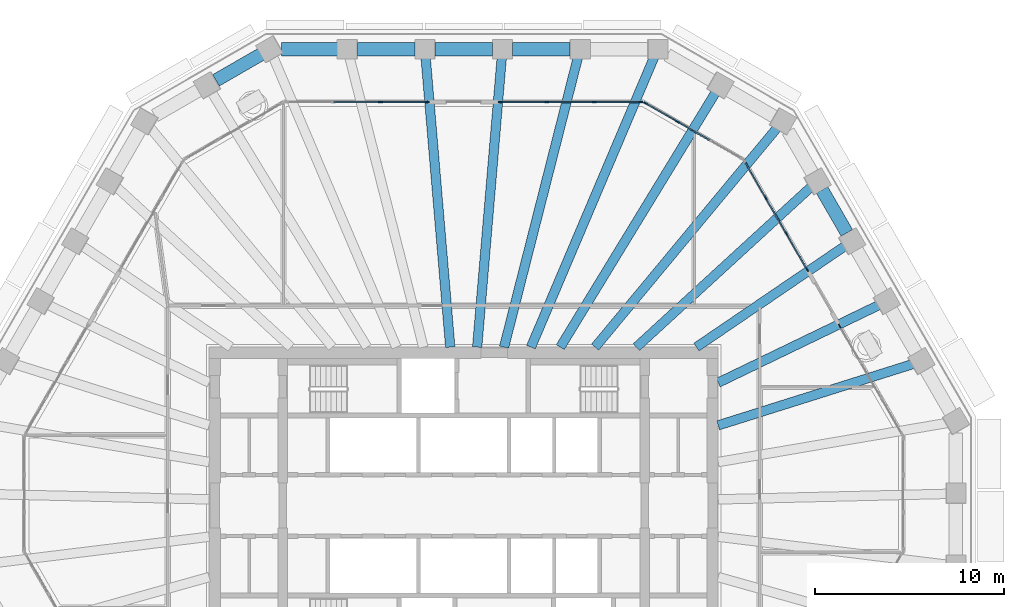
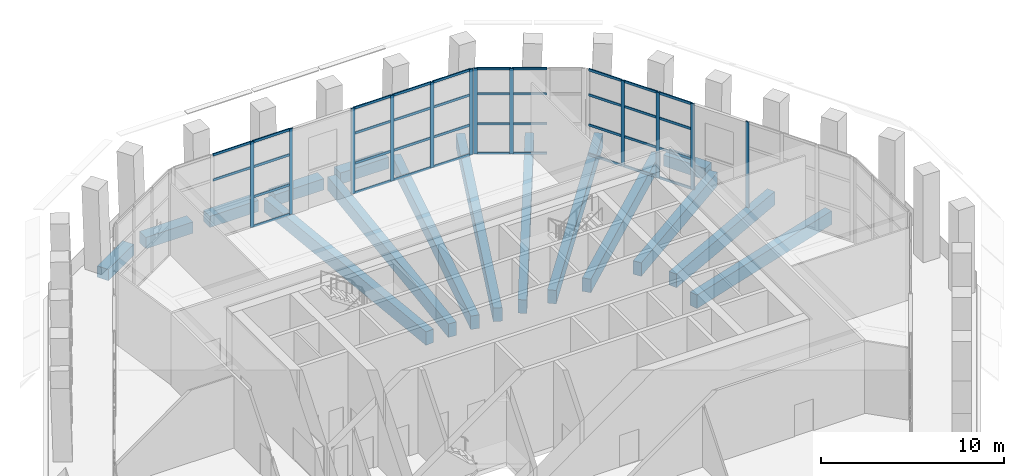
# One storey, part 7 of 19: 50 members, 16 beams, 5 elements without a shape of their own.
"""IFC4 building model written with IfcOpenShell, lengths in metres."""

import ifcopenshell
import ifcopenshell.guid

model = None  # the IFC model being written
_history = None  # IfcOwnerHistory: only IFC2X3 demands one
_inside = {}  # id of a spatial element -> (the spatial element, [elements in it])
_under = {}  # id of a project, library or spatial element -> (it, [spatial elements below it])
_declared = {}  # id of a project -> (the project, [libraries it declares])
_typed = {}  # id of a type object -> (the type object, [elements of that type])
_made_of = {}  # id of a material, layer set ... -> (it, [elements and type objects made of it])


def new_model(schema):
    """Start an empty IFC model of exactly this schema.

    Asked for "IFC4X3", IfcOpenShell would pick the latest addendum, in which some entities
    have other attributes; the version numbers below select the first issue.
    IFC2X3 requires an IfcOwnerHistory on every rooted entity: one is made here for all.
    """
    global model, _history
    if schema == "IFC4X3":
        model = ifcopenshell.file(schema_version=(4, 3, 0, 0))
    else:
        model = ifcopenshell.file(schema=schema)
    _inside.clear()
    _under.clear()
    _declared.clear()
    _typed.clear()
    _made_of.clear()
    _history = None
    if model.schema == "IFC2X3":
        org = make("IfcOrganization", Name="unknown")
        user = make(
            "IfcPersonAndOrganization",
            ThePerson=make("IfcPerson", FamilyName="unknown"),
            TheOrganization=org,
        )
        app = make(
            "IfcApplication",
            ApplicationDeveloper=org,
            Version="unknown",
            ApplicationFullName="unknown",
            ApplicationIdentifier="unknown",
        )
        _history = make(
            "IfcOwnerHistory",
            OwningUser=user,
            OwningApplication=app,
            ChangeAction="ADDED",
            CreationDate=0,
        )
    return model


def make(cls, **values):
    """One entity of the class cls with the attributes given. An attribute that is None is left unset."""
    return model.create_entity(
        cls, **{name: value for name, value in values.items() if value is not None}
    )


def rooted(cls, **values):
    """An entity with a GlobalId (a new one), such as an element, a storey or a relation."""
    return make(cls, GlobalId=ifcopenshell.guid.new(), OwnerHistory=_history, **values)


def si_unit(unit_type, name, prefix=None):
    """IfcSIUnit, for example si_unit("LENGTHUNIT", "METRE", prefix="MILLI")."""
    return make("IfcSIUnit", UnitType=unit_type, Prefix=prefix, Name=name)


def assignment(units):
    """IfcUnitAssignment: the units of a project."""
    return None if units is None else make("IfcUnitAssignment", Units=units)


def point(xyz):
    """IfcCartesianPoint."""
    return None if xyz is None else make("IfcCartesianPoint", Coordinates=xyz)


def direction(xyz):
    """IfcDirection."""
    return None if xyz is None else make("IfcDirection", DirectionRatios=xyz)


def frame(location, z_axis=None, x_axis=None):
    """IfcAxis2Placement3D, a coordinate frame: its origin and axes. An axis left out is left unset."""
    return make(
        "IfcAxis2Placement3D",
        Location=point(location),
        Axis=direction(z_axis),
        RefDirection=direction(x_axis),
    )


def frame_2d(location, x_axis=None):
    """IfcAxis2Placement2D, a coordinate frame in the plane: its origin and x axis."""
    return make(
        "IfcAxis2Placement2D", Location=point(location), RefDirection=direction(x_axis)
    )


def origin():
    """The frame at (0, 0, 0) with its axes left unset."""
    return frame((0.0, 0.0, 0.0))


def origin_2d():
    """The frame at (0, 0) in the plane with its x axis left unset."""
    return frame_2d((0.0, 0.0))


def place(relative_to, where):
    """IfcLocalPlacement: puts the frame where relative to a parent placement (None: the world)."""
    return make(
        "IfcLocalPlacement", PlacementRelTo=relative_to, RelativePlacement=where
    )


def context(
    kind, dimensions, precision=None, world=None, true_north=None, identifier=None
):
    """IfcGeometricRepresentationContext, for example the 3D "Model" context."""
    return make(
        "IfcGeometricRepresentationContext",
        ContextIdentifier=identifier,
        ContextType=kind,
        CoordinateSpaceDimension=dimensions,
        Precision=precision,
        WorldCoordinateSystem=world,
        TrueNorth=true_north,
    )


def subcontext(parent, identifier, kind, view, scale=None):
    """IfcGeometricRepresentationSubContext, for example "Body" below "Model"."""
    return make(
        "IfcGeometricRepresentationSubContext",
        ContextIdentifier=identifier,
        ContextType=kind,
        ParentContext=parent,
        TargetScale=scale,
        TargetView=view,
    )


def project(units=None, contexts=None):
    """IfcProject with its units and contexts."""
    return rooted(
        "IfcProject",
        Name="project",
        RepresentationContexts=contexts,
        UnitsInContext=assignment(units),
    )


def spatial(cls, under=None, at=None, **own):
    """A site, building, storey or space (cls), placed at a placement, below another one or the project."""
    s = rooted(cls, ObjectPlacement=at, **own)
    if under is not None:
        _under.setdefault(under.id(), (under, []))[1].append(s)
    return s


def profile(cls, at=None, kind="AREA", **sizes):
    """A parametric profile (cls). Its sizes go by their IFC names, for example OverallWidth=200.0."""
    return make(cls, ProfileType=kind, Position=at, **sizes)


def rectangle(**sizes):
    """IfcRectangleProfileDef."""
    return profile("IfcRectangleProfileDef", **sizes)


def extrude(swept, where, along, depth):
    """IfcExtrudedAreaSolid: the profile swept, set in the frame where, extruded along a direction by depth."""
    return make(
        "IfcExtrudedAreaSolid",
        SweptArea=swept,
        Position=where,
        ExtrudedDirection=direction(along),
        Depth=depth,
    )


def shape(context_of_items, identifier, shape_type, items):
    """IfcShapeRepresentation: the items that make up one representation, for example the "Body"."""
    return make(
        "IfcShapeRepresentation",
        ContextOfItems=context_of_items,
        RepresentationIdentifier=identifier,
        RepresentationType=shape_type,
        Items=items,
    )


def material(Name=None, Category=None):
    """IfcMaterial."""
    return make("IfcMaterial", Name=Name, Category=Category)


def material_profile(
    of_material, cross_section, Name=None, Category=None, Priority=None
):
    """IfcMaterialProfile: a cross section and its material."""
    return make(
        "IfcMaterialProfile",
        Name=Name,
        Material=of_material,
        Profile=cross_section,
        Priority=Priority,
        Category=Category,
    )


def profile_set(profiles, Name=None, composite=None):
    """IfcMaterialProfileSet."""
    return make(
        "IfcMaterialProfileSet",
        Name=Name,
        MaterialProfiles=profiles,
        CompositeProfile=composite,
    )


def made_of(thing, what):
    """Note that an element or type object is made of a material, layer set ...; save() writes the relation."""
    if what is not None:
        _made_of.setdefault(what.id(), (what, []))[1].append(thing)
    return thing


def type_object(cls, material=None, **own):
    """A type object (cls), such as IfcWallType, which elements share."""
    return made_of(rooted(cls, **own), material)


def element(
    cls,
    number,
    at=None,
    inside=None,
    cuts=None,
    type_object=None,
    material=None,
    context=None,
    identifier="Body",
    shape_type=None,
    held_by="IfcProductDefinitionShape",
    body=None,
    shapes=None,
    **own,
):
    """One element of the class cls, such as IfcWall. Its Tag is "e" and its number.

    at: its placement. inside: the storey or other place that contains it. cuts: it is an
    opening in that element (IfcRelVoidsElement). A single representation is given by context,
    identifier, shape_type and body (its items); several are given by shapes. held_by: the class
    of the entity that holds the representations. save() writes the other relations.
    """
    e = rooted(cls, Tag="e%d" % number, ObjectPlacement=at, **own)
    if body is not None:
        shapes = [shape(context, identifier, shape_type, body)]
    if shapes is not None:
        e.Representation = make(held_by, Representations=shapes)
    if inside is not None:
        _inside.setdefault(inside.id(), (inside, []))[1].append(e)
    if cuts is not None:
        rooted(
            "IfcRelVoidsElement", RelatingBuildingElement=cuts, RelatedOpeningElement=e
        )
    if type_object is not None:
        _typed.setdefault(type_object.id(), (type_object, []))[1].append(e)
    return made_of(e, material)


def aggregate(whole, parts):
    """IfcRelAggregates: a whole, such as a stair, and the parts it consists of."""
    return rooted("IfcRelAggregates", RelatingObject=whole, RelatedObjects=parts)


def save(model, path):
    """Write the relations noted so far, then the file.

    IfcRelAggregates (storeys below a building ...), IfcRelContainedInSpatialStructure (elements
    in a storey), IfcRelDefinesByType, IfcRelAssociatesMaterial and IfcRelDeclares: one each for
    every whole, place, type object, material and project.
    """
    for whole, parts in _under.values():
        aggregate(whole, parts)
    for where, things in _inside.values():
        rooted(
            "IfcRelContainedInSpatialStructure",
            RelatedElements=things,
            RelatingStructure=where,
        )
    for kind, things in _typed.values():
        rooted("IfcRelDefinesByType", RelatedObjects=things, RelatingType=kind)
    for what, things in _made_of.values():
        rooted("IfcRelAssociatesMaterial", RelatedObjects=things, RelatingMaterial=what)
    for by, libraries in _declared.values():
        rooted("IfcRelDeclares", RelatingContext=by, RelatedDefinitions=libraries)
    model.write(path)


model = new_model("IFC4")

# Units and contexts
model_context = context("Model", 3, precision=1e-05, world=origin(), true_north=direction((0.0, 1.0)))
body_context = subcontext(model_context, "Body", "Model", "MODEL_VIEW")
ifc_project = project(units=[si_unit("LENGTHUNIT", "METRE"), si_unit("AREAUNIT", "SQUARE_METRE"), si_unit("VOLUMEUNIT", "CUBIC_METRE"), si_unit("PLANEANGLEUNIT", "RADIAN"), si_unit("MASSUNIT", "GRAM", prefix="KILO")], contexts=[model_context])

# Site, building, storey
site_placement = place(None, origin())
site = spatial("IfcSite", under=ifc_project, at=site_placement, CompositionType="ELEMENT")
building_placement = place(site_placement, origin())
building = spatial("IfcBuilding", under=site, at=building_placement, Name="Frailejon Research Tower", CompositionType="ELEMENT")
storey_placement = place(building_placement, frame((0.0, 0.0, 231.39990234375)))
storey = spatial("IfcBuildingStorey", under=building, at=storey_placement, Name="L50", CompositionType="ELEMENT", Elevation=231.39990234375)

# Beams
ifc_material_1 = material(Name="Concrete C60/75", Category="concrete")
ifc_material_profile_1 = material_profile(ifc_material_1, rectangle(XDim=0.5, YDim=0.89990234375, at=origin_2d()), Name="Girder 500x900")
ifc_profile_set_1 = profile_set([ifc_material_profile_1], Name="Concrete C60/75")
beam_type_1 = type_object("IfcBeamType", Name="Girder 500x900", PredefinedType="BEAM", material=ifc_profile_set_1)
beam_1_placement = place(storey_placement, frame((23.889404296875, 7.5224609375, -0.75), z_axis=(-0.953829632045, -0.300348186333, 0.0), x_axis=(0.300348186333, -0.953829632045, 0.0)))
element("IfcBeam", 1, at=beam_1_placement, inside=storey, type_object=beam_type_1, Name="Girder 500x900", PredefinedType="BEAM", context=body_context, shape_type="SweptSolid", body=[
    extrude(rectangle(XDim=0.5, YDim=0.89990234375, at=origin_2d()), origin(), (0.0, 0.0, 1.0), 10.892333984375),
])
beam_2_placement = place(storey_placement, frame((22.082275390625, 10.658935546875, -0.75), z_axis=(-0.90057584555, -0.434698914667, 0.0), x_axis=(0.434698914667, -0.90057584555, 0.0)))
element("IfcBeam", 2, at=beam_2_placement, inside=storey, type_object=beam_type_1, Name="Girder 500x900", PredefinedType="BEAM", context=body_context, shape_type="SweptSolid", body=[
    extrude(rectangle(XDim=0.5, YDim=0.89990234375, at=origin_2d()), origin(), (0.0, 0.0, 1.0), 9.52978515625),
])
beam_3_placement = place(storey_placement, frame((20.27197265625, 13.794189453125, -0.75), z_axis=(-0.826752189304, -0.5625662783, 0.0), x_axis=(0.5625662783, -0.826752189304, 0.0)))
element("IfcBeam", 3, at=beam_3_placement, inside=storey, type_object=beam_type_1, Name="Girder 500x900", PredefinedType="BEAM", context=body_context, shape_type="SweptSolid", body=[
    extrude(rectangle(XDim=0.5, YDim=0.89990234375, at=origin_2d()), origin(), (0.0, 0.0, 1.0), 9.588623046875),
])
beam_4_placement = place(storey_placement, frame((18.459228515625, 16.927490234375, -0.75), z_axis=(-0.737027222867, -0.675863057693, 0.0), x_axis=(0.675863057693, -0.737027222867, 0.0)))
element("IfcBeam", 4, at=beam_4_placement, inside=storey, type_object=beam_type_1, Name="Girder 500x900", PredefinedType="BEAM", context=body_context, shape_type="SweptSolid", body=[
    extrude(rectangle(XDim=0.5, YDim=0.89990234375, at=origin_2d()), origin(), (0.0, 0.0, 1.0), 12.617431640625),
])
beam_5_placement = place(storey_placement, frame((16.66259765625, 20.078857421875, -0.75), z_axis=(-0.638605509056, -0.769534277211, 0.0), x_axis=(0.769534277211, -0.638605509056, 0.0)))
element("IfcBeam", 5, at=beam_5_placement, inside=storey, type_object=beam_type_1, Name="Girder 500x900", PredefinedType="BEAM", context=body_context, shape_type="SweptSolid", body=[
    extrude(rectangle(XDim=0.5, YDim=0.89990234375, at=origin_2d()), origin(), (0.0, 0.0, 1.0), 15.1767578125),
])
beam_6_placement = place(storey_placement, frame((13.397705078125, 21.96630859375, -0.75), z_axis=(-0.520709037353, -0.853734208298, 0.0), x_axis=(0.853734208298, -0.520709037353, 0.0)))
element("IfcBeam", 6, at=beam_6_placement, inside=storey, type_object=beam_type_1, Name="Girder 500x900", PredefinedType="BEAM", context=body_context, shape_type="SweptSolid", body=[
    extrude(rectangle(XDim=0.5, YDim=0.89990234375, at=origin_2d()), origin(), (0.0, 0.0, 1.0), 15.890625),
])
beam_7_placement = place(storey_placement, frame((10.114501953125, 23.81298828125, -0.75), z_axis=(-0.39094181664, -0.92041539318, 0.0), x_axis=(0.92041539318, -0.39094181664, 0.0)))
element("IfcBeam", 7, at=beam_7_placement, inside=storey, type_object=beam_type_1, Name="Girder 500x900", PredefinedType="BEAM", context=body_context, shape_type="SweptSolid", body=[
    extrude(rectangle(XDim=0.5, YDim=0.89990234375, at=origin_2d()), origin(), (0.0, 0.0, 1.0), 16.745849609375),
])
beam_8_placement = place(storey_placement, frame((6.070556640625, 23.8203125, -0.75), z_axis=(-0.24694438602, -0.969029653939, 0.0), x_axis=(0.969029653939, -0.24694438602, 0.0)))
element("IfcBeam", 8, at=beam_8_placement, inside=storey, type_object=beam_type_1, Name="Girder 500x900", PredefinedType="BEAM", context=body_context, shape_type="SweptSolid", body=[
    extrude(rectangle(XDim=0.5, YDim=0.89990234375, at=origin_2d()), origin(), (0.0, 0.0, 1.0), 15.913330078125),
])
for number, where, z_axis, x_axis, name in (
    (9, (2.02392578125, 23.824462890625, -0.75), (-0.084644250504, -0.996411235814, 0.0), (0.996411235814, -0.084644250504, 0.0), "Girder 500x900"),
    (10, (-2.02392578125, 23.824462890625, -0.75), (0.084644250504, -0.996411235814, 0.0), (0.996411235814, 0.084644250504, 0.0), "Girder 500x900"),
):
    element("IfcBeam", number, at=place(storey_placement, frame(where, z_axis=z_axis, x_axis=x_axis)), inside=storey, type_object=beam_type_1, Name=name, PredefinedType="BEAM", context=body_context, shape_type="SweptSolid", body=[
        extrude(rectangle(XDim=0.5, YDim=0.89990234375, at=origin_2d()), origin(), (0.0, 0.0, 1.0), 15.480224609375),
    ])

# Curtain wall, member
ifc_material_2 = material(Name="Aluminium curtain wall", Category="aluminium")
curtain_wall_type = type_object("IfcCurtainWallType", Name="Sky lobby curtain wall system", PredefinedType="NOTDEFINED", material=ifc_material_2)
curtain_wall_1_placement = place(storey_placement, origin())
curtain_wall_1 = element("IfcCurtainWall", 11, at=curtain_wall_1_placement, inside=storey, type_object=curtain_wall_type, Name="Curtain wall L50", PredefinedType="NOTDEFINED")
ifc_material_3 = material(Name="Aluminium extrusion", Category="aluminium")
ifc_material_profile_2 = material_profile(ifc_material_3, rectangle(XDim=0.070068359375, YDim=0.219970703125, at=origin_2d()), Name="Sky lobby curtain wall mullion 70x220")
ifc_profile_set_2 = profile_set([ifc_material_profile_2], Name="Aluminium extrusion")
member_type_1 = type_object("IfcMemberType", Name="Sky lobby curtain wall mullion 70x220", PredefinedType="MULLION", material=ifc_profile_set_2)
member_1_placement = place(storey_placement, frame((19.938720703125, 9.52197265625, 0.0), z_axis=(0.0, 0.0, 1.0), x_axis=(-0.866025366731, -0.500000064178, 0.0)))
member_1 = element("IfcMember", 12, at=member_1_placement, type_object=member_type_1, Name="CW4-100 mullion 4", PredefinedType="MULLION", context=body_context, shape_type="SweptSolid", body=[
    extrude(rectangle(XDim=0.070068359375, YDim=0.219970703125, at=origin_2d()), origin(), (0.0, 0.0, 1.0), 5.7001953125),
])
aggregate(curtain_wall_1, [member_1])

# Curtain wall, members
curtain_wall_2_placement = place(storey_placement, origin())
curtain_wall_2 = element("IfcCurtainWall", 13, at=curtain_wall_2_placement, inside=storey, type_object=curtain_wall_type, Name="Curtain wall L50", PredefinedType="NOTDEFINED")
member_2_placement = place(storey_placement, frame((18.2158203125, 12.50634765625, 0.0), z_axis=(0.0, 0.0, 1.0), x_axis=(-0.866025366731, -0.500000064178, 0.0)))
member_2 = element("IfcMember", 14, at=member_2_placement, type_object=member_type_1, Name="CW4-101 mullion 1", PredefinedType="MULLION", context=body_context, shape_type="SweptSolid", body=[
    extrude(rectangle(XDim=0.070068359375, YDim=0.219970703125, at=origin_2d()), origin(), (0.0, 0.0, 1.0), 5.7001953125),
])
member_3_placement = place(storey_placement, frame((17.12451171875, 14.396484375, 0.0), z_axis=(0.0, 0.0, 1.0), x_axis=(-0.866025366731, -0.500000064178, 0.0)))
member_3 = element("IfcMember", 15, at=member_3_placement, type_object=member_type_1, Name="CW4-101 mullion 2", PredefinedType="MULLION", context=body_context, shape_type="SweptSolid", body=[
    extrude(rectangle(XDim=0.070068359375, YDim=0.219970703125, at=origin_2d()), origin(), (0.0, 0.0, 1.0), 5.7001953125),
])
member_4_placement = place(storey_placement, frame((16.015869140625, 16.316650390625, 0.0), z_axis=(0.0, 0.0, 1.0), x_axis=(-0.866025366731, -0.500000064178, 0.0)))
member_4 = element("IfcMember", 16, at=member_4_placement, type_object=member_type_1, Name="CW4-101 mullion 3", PredefinedType="MULLION", context=body_context, shape_type="SweptSolid", body=[
    extrude(rectangle(XDim=0.070068359375, YDim=0.219970703125, at=origin_2d()), origin(), (0.0, 0.0, 1.0), 5.7001953125),
])

curtain_wall_3_placement = place(storey_placement, origin())
curtain_wall_3 = element("IfcCurtainWall", 17, at=curtain_wall_3_placement, inside=storey, type_object=curtain_wall_type, Name="Curtain wall L50", PredefinedType="NOTDEFINED")
member_5_placement = place(storey_placement, frame((11.333740234375, 20.35791015625, 0.0), z_axis=(0.0, 0.0, 1.0), x_axis=(-0.500010854885, -0.866019136623, 0.0)))
member_5 = element("IfcMember", 18, at=member_5_placement, type_object=member_type_1, Name="CW4-102 mullion 3", PredefinedType="MULLION", context=body_context, shape_type="SweptSolid", body=[
    extrude(rectangle(XDim=0.070068359375, YDim=0.219970703125, at=origin_2d()), origin(), (0.0, 0.0, 1.0), 5.7001953125),
])
member_6_placement = place(storey_placement, frame((9.6455078125, 21.33251953125, 0.0), z_axis=(0.0, 0.0, 1.0), x_axis=(-0.500010854885, -0.866019136623, 0.0)))
member_6 = element("IfcMember", 19, at=member_6_placement, type_object=member_type_1, Name="CW4-102 mullion 4", PredefinedType="MULLION", context=body_context, shape_type="SweptSolid", body=[
    extrude(rectangle(XDim=0.070068359375, YDim=0.219970703125, at=origin_2d()), origin(), (0.0, 0.0, 1.0), 5.7001953125),
])

curtain_wall_4_placement = place(storey_placement, origin())
curtain_wall_4 = element("IfcCurtainWall", 20, at=curtain_wall_4_placement, inside=storey, type_object=curtain_wall_type, Name="Curtain wall L50", PredefinedType="NOTDEFINED")
member_7_placement = place(storey_placement, frame((9.393798828125, 21.39990234375, 0.0), z_axis=(0.0, 0.0, 1.0), x_axis=(0.0, -1.0, 0.0)))
member_7 = element("IfcMember", 21, at=member_7_placement, type_object=member_type_1, Name="CW4-103 mullion 1", PredefinedType="MULLION", context=body_context, shape_type="SweptSolid", body=[
    extrude(rectangle(XDim=0.070068359375, YDim=0.219970703125, at=origin_2d()), origin(), (0.0, 0.0, 1.0), 5.7001953125),
])
member_8_placement = place(storey_placement, frame((6.921142578125, 21.39990234375, 0.0), z_axis=(0.0, 0.0, 1.0), x_axis=(0.0, -1.0, 0.0)))
member_8 = element("IfcMember", 22, at=member_8_placement, type_object=member_type_1, Name="CW4-103 mullion 2", PredefinedType="MULLION", context=body_context, shape_type="SweptSolid", body=[
    extrude(rectangle(XDim=0.070068359375, YDim=0.219970703125, at=origin_2d()), origin(), (0.0, 0.0, 1.0), 5.7001953125),
])
member_9_placement = place(storey_placement, frame((4.413330078125, 21.39990234375, 0.0), z_axis=(0.0, 0.0, 1.0), x_axis=(0.0, -1.0, 0.0)))
member_9 = element("IfcMember", 23, at=member_9_placement, type_object=member_type_1, Name="CW4-103 mullion 3", PredefinedType="MULLION", context=body_context, shape_type="SweptSolid", body=[
    extrude(rectangle(XDim=0.070068359375, YDim=0.219970703125, at=origin_2d()), origin(), (0.0, 0.0, 1.0), 5.7001953125),
])
member_10_placement = place(storey_placement, frame((1.940673828125, 21.39990234375, 0.0), z_axis=(0.0, 0.0, 1.0), x_axis=(0.0, -1.0, 0.0)))
member_10 = element("IfcMember", 24, at=member_10_placement, type_object=member_type_1, Name="CW4-103 mullion 4", PredefinedType="MULLION", context=body_context, shape_type="SweptSolid", body=[
    extrude(rectangle(XDim=0.070068359375, YDim=0.219970703125, at=origin_2d()), origin(), (0.0, 0.0, 1.0), 5.7001953125),
])

curtain_wall_5_placement = place(storey_placement, origin())
curtain_wall_5 = element("IfcCurtainWall", 25, at=curtain_wall_5_placement, inside=storey, type_object=curtain_wall_type, Name="Curtain wall L50", PredefinedType="NOTDEFINED")
member_11_placement = place(storey_placement, frame((-1.940673828125, 21.39990234375, 0.0), z_axis=(0.0, 0.0, 1.0), x_axis=(0.0, -1.0, 0.0)))
member_11 = element("IfcMember", 26, at=member_11_placement, type_object=member_type_1, Name="CW4-104 mullion 1", PredefinedType="MULLION", context=body_context, shape_type="SweptSolid", body=[
    extrude(rectangle(XDim=0.070068359375, YDim=0.219970703125, at=origin_2d()), origin(), (0.0, 0.0, 1.0), 5.7001953125),
])
member_12_placement = place(storey_placement, frame((-4.413330078125, 21.39990234375, 0.0), z_axis=(0.0, 0.0, 1.0), x_axis=(0.0, -1.0, 0.0)))
member_12 = element("IfcMember", 27, at=member_12_placement, type_object=member_type_1, Name="CW4-104 mullion 2", PredefinedType="MULLION", context=body_context, shape_type="SweptSolid", body=[
    extrude(rectangle(XDim=0.070068359375, YDim=0.219970703125, at=origin_2d()), origin(), (0.0, 0.0, 1.0), 5.7001953125),
])

# Member
ifc_material_4 = material(Name="Aluminium extrusion", Category="aluminium")
ifc_material_profile_3 = material_profile(ifc_material_4, rectangle(XDim=0.070068359375, YDim=0.159912109375, at=origin_2d()), Name="Sky lobby curtain wall transom 70x160")
ifc_profile_set_3 = profile_set([ifc_material_profile_3], Name="Aluminium extrusion")
member_type_2 = type_object("IfcMemberType", Name="Sky lobby curtain wall transom 70x160", PredefinedType="USERDEFINED", material=ifc_profile_set_3)
member_13_placement = place(storey_placement, frame((18.1982421875, 12.53662109375, 0.03515625), z_axis=(-0.499992582699, 0.866029686123, 0.0), x_axis=(-0.866029686123, -0.499992582699, 0.0)))
member_13 = element("IfcMember", 28, at=member_13_placement, type_object=member_type_2, Name="CW4-101 transom 1.1", ObjectType="TRANSOM", PredefinedType="USERDEFINED", context=body_context, shape_type="SweptSolid", body=[
    extrude(rectangle(XDim=0.070068359375, YDim=0.159912109375, at=origin_2d()), origin(), (0.0, 0.0, 1.0), 2.1123046875),
])

member_14_placement = place(storey_placement, frame((18.1982421875, 12.53662109375, 2.0), z_axis=(-0.499992582699, 0.866029686123, 0.0), x_axis=(-0.866029686123, -0.499992582699, 0.0)))
member_14 = element("IfcMember", 29, at=member_14_placement, type_object=member_type_2, Name="CW4-101 transom 1.2", ObjectType="TRANSOM", PredefinedType="USERDEFINED", context=body_context, shape_type="SweptSolid", body=[
    extrude(rectangle(XDim=0.070068359375, YDim=0.159912109375, at=origin_2d()), origin(), (0.0, 0.0, 1.0), 2.1123046875),
])

member_15_placement = place(storey_placement, frame((18.1982421875, 12.53662109375, 4.0), z_axis=(-0.499992582699, 0.866029686123, 0.0), x_axis=(-0.866029686123, -0.499992582699, 0.0)))
member_15 = element("IfcMember", 30, at=member_15_placement, type_object=member_type_2, Name="CW4-101 transom 1.3", ObjectType="TRANSOM", PredefinedType="USERDEFINED", context=body_context, shape_type="SweptSolid", body=[
    extrude(rectangle(XDim=0.070068359375, YDim=0.159912109375, at=origin_2d()), origin(), (0.0, 0.0, 1.0), 2.1123046875),
])

member_16_placement = place(storey_placement, frame((18.1982421875, 12.53662109375, 5.6650390625), z_axis=(-0.499992582699, 0.866029686123, 0.0), x_axis=(-0.866029686123, -0.499992582699, 0.0)))
member_16 = element("IfcMember", 31, at=member_16_placement, type_object=member_type_2, Name="CW4-101 transom 1.4", ObjectType="TRANSOM", PredefinedType="USERDEFINED", context=body_context, shape_type="SweptSolid", body=[
    extrude(rectangle(XDim=0.070068359375, YDim=0.159912109375, at=origin_2d()), origin(), (0.0, 0.0, 1.0), 2.1123046875),
])

member_17_placement = place(storey_placement, frame((17.107177734375, 14.4267578125, 0.03515625), z_axis=(-0.500027542156, 0.866009501729, 0.0), x_axis=(-0.866009501729, -0.500027542156, 0.0)))
member_17 = element("IfcMember", 32, at=member_17_placement, type_object=member_type_2, Name="CW4-101 transom 2.1", ObjectType="TRANSOM", PredefinedType="USERDEFINED", context=body_context, shape_type="SweptSolid", body=[
    extrude(rectangle(XDim=0.070068359375, YDim=0.159912109375, at=origin_2d()), origin(), (0.0, 0.0, 1.0), 2.1474609375),
])

member_18_placement = place(storey_placement, frame((17.107177734375, 14.4267578125, 2.0), z_axis=(-0.500027542156, 0.866009501729, 0.0), x_axis=(-0.866009501729, -0.500027542156, 0.0)))
member_18 = element("IfcMember", 33, at=member_18_placement, type_object=member_type_2, Name="CW4-101 transom 2.2", ObjectType="TRANSOM", PredefinedType="USERDEFINED", context=body_context, shape_type="SweptSolid", body=[
    extrude(rectangle(XDim=0.070068359375, YDim=0.159912109375, at=origin_2d()), origin(), (0.0, 0.0, 1.0), 2.1474609375),
])

member_19_placement = place(storey_placement, frame((17.107177734375, 14.4267578125, 4.0), z_axis=(-0.500027542156, 0.866009501729, 0.0), x_axis=(-0.866009501729, -0.500027542156, 0.0)))
member_19 = element("IfcMember", 34, at=member_19_placement, type_object=member_type_2, Name="CW4-101 transom 2.3", ObjectType="TRANSOM", PredefinedType="USERDEFINED", context=body_context, shape_type="SweptSolid", body=[
    extrude(rectangle(XDim=0.070068359375, YDim=0.159912109375, at=origin_2d()), origin(), (0.0, 0.0, 1.0), 2.1474609375),
])

member_20_placement = place(storey_placement, frame((17.107177734375, 14.4267578125, 5.6650390625), z_axis=(-0.500027542156, 0.866009501729, 0.0), x_axis=(-0.866009501729, -0.500027542156, 0.0)))
member_20 = element("IfcMember", 35, at=member_20_placement, type_object=member_type_2, Name="CW4-101 transom 2.4", ObjectType="TRANSOM", PredefinedType="USERDEFINED", context=body_context, shape_type="SweptSolid", body=[
    extrude(rectangle(XDim=0.070068359375, YDim=0.159912109375, at=origin_2d()), origin(), (0.0, 0.0, 1.0), 2.1474609375),
])

member_21_placement = place(storey_placement, frame((15.99853515625, 16.346923828125, 0.03515625), z_axis=(-0.499992582699, 0.866029686123, 0.0), x_axis=(-0.866029686123, -0.499992582699, 0.0)))
member_21 = element("IfcMember", 36, at=member_21_placement, type_object=member_type_2, Name="CW4-101 transom 3.1", ObjectType="TRANSOM", PredefinedType="USERDEFINED", context=body_context, shape_type="SweptSolid", body=[
    extrude(rectangle(XDim=0.070068359375, YDim=0.159912109375, at=origin_2d()), origin(), (0.0, 0.0, 1.0), 2.1123046875),
])

member_22_placement = place(storey_placement, frame((15.99853515625, 16.346923828125, 2.0), z_axis=(-0.499992582699, 0.866029686123, 0.0), x_axis=(-0.866029686123, -0.499992582699, 0.0)))
member_22 = element("IfcMember", 37, at=member_22_placement, type_object=member_type_2, Name="CW4-101 transom 3.2", ObjectType="TRANSOM", PredefinedType="USERDEFINED", context=body_context, shape_type="SweptSolid", body=[
    extrude(rectangle(XDim=0.070068359375, YDim=0.159912109375, at=origin_2d()), origin(), (0.0, 0.0, 1.0), 2.1123046875),
])

member_23_placement = place(storey_placement, frame((15.99853515625, 16.346923828125, 4.0), z_axis=(-0.499992582699, 0.866029686123, 0.0), x_axis=(-0.866029686123, -0.499992582699, 0.0)))
member_23 = element("IfcMember", 38, at=member_23_placement, type_object=member_type_2, Name="CW4-101 transom 3.3", ObjectType="TRANSOM", PredefinedType="USERDEFINED", context=body_context, shape_type="SweptSolid", body=[
    extrude(rectangle(XDim=0.070068359375, YDim=0.159912109375, at=origin_2d()), origin(), (0.0, 0.0, 1.0), 2.1123046875),
])

member_24_placement = place(storey_placement, frame((15.99853515625, 16.346923828125, 5.6650390625), z_axis=(-0.499992582699, 0.866029686123, 0.0), x_axis=(-0.866029686123, -0.499992582699, 0.0)))
member_24 = element("IfcMember", 39, at=member_24_placement, type_object=member_type_2, Name="CW4-101 transom 3.4", ObjectType="TRANSOM", PredefinedType="USERDEFINED", context=body_context, shape_type="SweptSolid", body=[
    extrude(rectangle(XDim=0.070068359375, YDim=0.159912109375, at=origin_2d()), origin(), (0.0, 0.0, 1.0), 2.1123046875),
])

aggregate(curtain_wall_2, [member_2, member_3, member_4, member_13, member_14, member_15, member_16, member_17, member_18, member_19, member_20, member_21, member_22, member_23, member_24])

member_25_placement = place(storey_placement, frame((13.02197265625, 19.383056640625, 0.03515625), z_axis=(-0.866013568815, 0.500020498207, 0.0), x_axis=(-0.500020498207, -0.866013568815, 0.0)))
member_25 = element("IfcMember", 40, at=member_25_placement, type_object=member_type_2, Name="CW4-102 transom 2.1", ObjectType="TRANSOM", PredefinedType="USERDEFINED", context=body_context, shape_type="SweptSolid", body=[
    extrude(rectangle(XDim=0.070068359375, YDim=0.159912109375, at=origin_2d()), origin(), (0.0, 0.0, 1.0), 1.91455078125),
])

member_26_placement = place(storey_placement, frame((13.02197265625, 19.383056640625, 2.0), z_axis=(-0.866013568815, 0.500020498207, 0.0), x_axis=(-0.500020498207, -0.866013568815, 0.0)))
member_26 = element("IfcMember", 41, at=member_26_placement, type_object=member_type_2, Name="CW4-102 transom 2.2", ObjectType="TRANSOM", PredefinedType="USERDEFINED", context=body_context, shape_type="SweptSolid", body=[
    extrude(rectangle(XDim=0.070068359375, YDim=0.159912109375, at=origin_2d()), origin(), (0.0, 0.0, 1.0), 1.91455078125),
])

member_27_placement = place(storey_placement, frame((13.02197265625, 19.383056640625, 4.0), z_axis=(-0.866013568815, 0.500020498207, 0.0), x_axis=(-0.500020498207, -0.866013568815, 0.0)))
member_27 = element("IfcMember", 42, at=member_27_placement, type_object=member_type_2, Name="CW4-102 transom 2.3", ObjectType="TRANSOM", PredefinedType="USERDEFINED", context=body_context, shape_type="SweptSolid", body=[
    extrude(rectangle(XDim=0.070068359375, YDim=0.159912109375, at=origin_2d()), origin(), (0.0, 0.0, 1.0), 1.91455078125),
])

member_28_placement = place(storey_placement, frame((13.02197265625, 19.383056640625, 5.6650390625), z_axis=(-0.866013568815, 0.500020498207, 0.0), x_axis=(-0.500020498207, -0.866013568815, 0.0)))
member_28 = element("IfcMember", 43, at=member_28_placement, type_object=member_type_2, Name="CW4-102 transom 2.4", ObjectType="TRANSOM", PredefinedType="USERDEFINED", context=body_context, shape_type="SweptSolid", body=[
    extrude(rectangle(XDim=0.070068359375, YDim=0.159912109375, at=origin_2d()), origin(), (0.0, 0.0, 1.0), 1.91455078125),
])

member_29_placement = place(storey_placement, frame((11.303466796875, 20.375244140625, 0.03515625), z_axis=(-0.866003851672, 0.500037327496, 0.0), x_axis=(-0.500037327496, -0.866003851672, 0.0)))
member_29 = element("IfcMember", 44, at=member_29_placement, type_object=member_type_2, Name="CW4-102 transom 3.1", ObjectType="TRANSOM", PredefinedType="USERDEFINED", context=body_context, shape_type="SweptSolid", body=[
    extrude(rectangle(XDim=0.070068359375, YDim=0.159912109375, at=origin_2d()), origin(), (0.0, 0.0, 1.0), 1.879150390625),
])

member_30_placement = place(storey_placement, frame((11.303466796875, 20.375244140625, 2.0), z_axis=(-0.866003851672, 0.500037327496, 0.0), x_axis=(-0.500037327496, -0.866003851672, 0.0)))
member_30 = element("IfcMember", 45, at=member_30_placement, type_object=member_type_2, Name="CW4-102 transom 3.2", ObjectType="TRANSOM", PredefinedType="USERDEFINED", context=body_context, shape_type="SweptSolid", body=[
    extrude(rectangle(XDim=0.070068359375, YDim=0.159912109375, at=origin_2d()), origin(), (0.0, 0.0, 1.0), 1.879150390625),
])

member_31_placement = place(storey_placement, frame((11.303466796875, 20.375244140625, 4.0), z_axis=(-0.866003851672, 0.500037327496, 0.0), x_axis=(-0.500037327496, -0.866003851672, 0.0)))
member_31 = element("IfcMember", 46, at=member_31_placement, type_object=member_type_2, Name="CW4-102 transom 3.3", ObjectType="TRANSOM", PredefinedType="USERDEFINED", context=body_context, shape_type="SweptSolid", body=[
    extrude(rectangle(XDim=0.070068359375, YDim=0.159912109375, at=origin_2d()), origin(), (0.0, 0.0, 1.0), 1.879150390625),
])

member_32_placement = place(storey_placement, frame((11.303466796875, 20.375244140625, 5.6650390625), z_axis=(-0.866003851672, 0.500037327496, 0.0), x_axis=(-0.500037327496, -0.866003851672, 0.0)))
member_32 = element("IfcMember", 47, at=member_32_placement, type_object=member_type_2, Name="CW4-102 transom 3.4", ObjectType="TRANSOM", PredefinedType="USERDEFINED", context=body_context, shape_type="SweptSolid", body=[
    extrude(rectangle(XDim=0.070068359375, YDim=0.159912109375, at=origin_2d()), origin(), (0.0, 0.0, 1.0), 1.879150390625),
])

aggregate(curtain_wall_3, [member_5, member_6, member_25, member_26, member_27, member_28, member_29, member_30, member_31, member_32])

member_33_placement = place(storey_placement, frame((9.358642578125, 21.39990234375, 0.03515625), z_axis=(-1.0, 0.0, 0.0), x_axis=(0.0, -1.0, 0.0)))
member_33 = element("IfcMember", 48, at=member_33_placement, type_object=member_type_2, Name="CW4-103 transom 1.1", ObjectType="TRANSOM", PredefinedType="USERDEFINED", context=body_context, shape_type="SweptSolid", body=[
    extrude(rectangle(XDim=0.070068359375, YDim=0.159912109375, at=origin_2d()), origin(), (0.0, 0.0, 1.0), 2.402587890625),
])

member_34_placement = place(storey_placement, frame((9.358642578125, 21.39990234375, 2.0), z_axis=(-1.0, 0.0, 0.0), x_axis=(0.0, -1.0, 0.0)))
member_34 = element("IfcMember", 49, at=member_34_placement, type_object=member_type_2, Name="CW4-103 transom 1.2", ObjectType="TRANSOM", PredefinedType="USERDEFINED", context=body_context, shape_type="SweptSolid", body=[
    extrude(rectangle(XDim=0.070068359375, YDim=0.159912109375, at=origin_2d()), origin(), (0.0, 0.0, 1.0), 2.402587890625),
])

member_35_placement = place(storey_placement, frame((9.358642578125, 21.39990234375, 4.0), z_axis=(-1.0, 0.0, 0.0), x_axis=(0.0, -1.0, 0.0)))
member_35 = element("IfcMember", 50, at=member_35_placement, type_object=member_type_2, Name="CW4-103 transom 1.3", ObjectType="TRANSOM", PredefinedType="USERDEFINED", context=body_context, shape_type="SweptSolid", body=[
    extrude(rectangle(XDim=0.070068359375, YDim=0.159912109375, at=origin_2d()), origin(), (0.0, 0.0, 1.0), 2.402587890625),
])

member_36_placement = place(storey_placement, frame((9.358642578125, 21.39990234375, 5.6650390625), z_axis=(-1.0, 0.0, 0.0), x_axis=(0.0, -1.0, 0.0)))
member_36 = element("IfcMember", 51, at=member_36_placement, type_object=member_type_2, Name="CW4-103 transom 1.4", ObjectType="TRANSOM", PredefinedType="USERDEFINED", context=body_context, shape_type="SweptSolid", body=[
    extrude(rectangle(XDim=0.070068359375, YDim=0.159912109375, at=origin_2d()), origin(), (0.0, 0.0, 1.0), 2.402587890625),
])

member_37_placement = place(storey_placement, frame((6.885986328125, 21.39990234375, 0.03515625), z_axis=(-1.0, 0.0, 0.0), x_axis=(0.0, -1.0, 0.0)))
member_37 = element("IfcMember", 52, at=member_37_placement, type_object=member_type_2, Name="CW4-103 transom 2.1", ObjectType="TRANSOM", PredefinedType="USERDEFINED", context=body_context, shape_type="SweptSolid", body=[
    extrude(rectangle(XDim=0.070068359375, YDim=0.159912109375, at=origin_2d()), origin(), (0.0, 0.0, 1.0), 2.4375),
])

member_38_placement = place(storey_placement, frame((6.885986328125, 21.39990234375, 2.0), z_axis=(-1.0, 0.0, 0.0), x_axis=(0.0, -1.0, 0.0)))
member_38 = element("IfcMember", 53, at=member_38_placement, type_object=member_type_2, Name="CW4-103 transom 2.2", ObjectType="TRANSOM", PredefinedType="USERDEFINED", context=body_context, shape_type="SweptSolid", body=[
    extrude(rectangle(XDim=0.070068359375, YDim=0.159912109375, at=origin_2d()), origin(), (0.0, 0.0, 1.0), 2.4375),
])

member_39_placement = place(storey_placement, frame((6.885986328125, 21.39990234375, 4.0), z_axis=(-1.0, 0.0, 0.0), x_axis=(0.0, -1.0, 0.0)))
member_39 = element("IfcMember", 54, at=member_39_placement, type_object=member_type_2, Name="CW4-103 transom 2.3", ObjectType="TRANSOM", PredefinedType="USERDEFINED", context=body_context, shape_type="SweptSolid", body=[
    extrude(rectangle(XDim=0.070068359375, YDim=0.159912109375, at=origin_2d()), origin(), (0.0, 0.0, 1.0), 2.4375),
])

member_40_placement = place(storey_placement, frame((6.885986328125, 21.39990234375, 5.6650390625), z_axis=(-1.0, 0.0, 0.0), x_axis=(0.0, -1.0, 0.0)))
member_40 = element("IfcMember", 55, at=member_40_placement, type_object=member_type_2, Name="CW4-103 transom 2.4", ObjectType="TRANSOM", PredefinedType="USERDEFINED", context=body_context, shape_type="SweptSolid", body=[
    extrude(rectangle(XDim=0.070068359375, YDim=0.159912109375, at=origin_2d()), origin(), (0.0, 0.0, 1.0), 2.4375),
])

member_41_placement = place(storey_placement, frame((4.37841796875, 21.39990234375, 0.03515625), z_axis=(-1.0, 0.0, 0.0), x_axis=(0.0, -1.0, 0.0)))
member_41 = element("IfcMember", 56, at=member_41_placement, type_object=member_type_2, Name="CW4-103 transom 3.1", ObjectType="TRANSOM", PredefinedType="USERDEFINED", context=body_context, shape_type="SweptSolid", body=[
    extrude(rectangle(XDim=0.070068359375, YDim=0.159912109375, at=origin_2d()), origin(), (0.0, 0.0, 1.0), 2.40283203125),
])

member_42_placement = place(storey_placement, frame((4.37841796875, 21.39990234375, 2.0), z_axis=(-1.0, 0.0, 0.0), x_axis=(0.0, -1.0, 0.0)))
member_42 = element("IfcMember", 57, at=member_42_placement, type_object=member_type_2, Name="CW4-103 transom 3.2", ObjectType="TRANSOM", PredefinedType="USERDEFINED", context=body_context, shape_type="SweptSolid", body=[
    extrude(rectangle(XDim=0.070068359375, YDim=0.159912109375, at=origin_2d()), origin(), (0.0, 0.0, 1.0), 2.40283203125),
])

member_43_placement = place(storey_placement, frame((4.37841796875, 21.39990234375, 4.0), z_axis=(-1.0, 0.0, 0.0), x_axis=(0.0, -1.0, 0.0)))
member_43 = element("IfcMember", 58, at=member_43_placement, type_object=member_type_2, Name="CW4-103 transom 3.3", ObjectType="TRANSOM", PredefinedType="USERDEFINED", context=body_context, shape_type="SweptSolid", body=[
    extrude(rectangle(XDim=0.070068359375, YDim=0.159912109375, at=origin_2d()), origin(), (0.0, 0.0, 1.0), 2.40283203125),
])

member_44_placement = place(storey_placement, frame((4.37841796875, 21.39990234375, 5.6650390625), z_axis=(-1.0, 0.0, 0.0), x_axis=(0.0, -1.0, 0.0)))
member_44 = element("IfcMember", 59, at=member_44_placement, type_object=member_type_2, Name="CW4-103 transom 3.4", ObjectType="TRANSOM", PredefinedType="USERDEFINED", context=body_context, shape_type="SweptSolid", body=[
    extrude(rectangle(XDim=0.070068359375, YDim=0.159912109375, at=origin_2d()), origin(), (0.0, 0.0, 1.0), 2.40283203125),
])

aggregate(curtain_wall_4, [member_7, member_8, member_9, member_10, member_33, member_34, member_35, member_36, member_37, member_38, member_39, member_40, member_41, member_42, member_43, member_44])

member_45_placement = place(storey_placement, frame((-1.9755859375, 21.39990234375, 0.03515625), z_axis=(-1.0, 0.0, 0.0), x_axis=(0.0, -1.0, 0.0)))
member_45 = element("IfcMember", 60, at=member_45_placement, type_object=member_type_2, Name="CW4-104 transom 1.1", ObjectType="TRANSOM", PredefinedType="USERDEFINED", context=body_context, shape_type="SweptSolid", body=[
    extrude(rectangle(XDim=0.070068359375, YDim=0.159912109375, at=origin_2d()), origin(), (0.0, 0.0, 1.0), 2.40283203125),
])

member_46_placement = place(storey_placement, frame((-1.9755859375, 21.39990234375, 2.0), z_axis=(-1.0, 0.0, 0.0), x_axis=(0.0, -1.0, 0.0)))
member_46 = element("IfcMember", 61, at=member_46_placement, type_object=member_type_2, Name="CW4-104 transom 1.2", ObjectType="TRANSOM", PredefinedType="USERDEFINED", context=body_context, shape_type="SweptSolid", body=[
    extrude(rectangle(XDim=0.070068359375, YDim=0.159912109375, at=origin_2d()), origin(), (0.0, 0.0, 1.0), 2.40283203125),
])

member_47_placement = place(storey_placement, frame((-1.9755859375, 21.39990234375, 4.0), z_axis=(-1.0, 0.0, 0.0), x_axis=(0.0, -1.0, 0.0)))
member_47 = element("IfcMember", 62, at=member_47_placement, type_object=member_type_2, Name="CW4-104 transom 1.3", ObjectType="TRANSOM", PredefinedType="USERDEFINED", context=body_context, shape_type="SweptSolid", body=[
    extrude(rectangle(XDim=0.070068359375, YDim=0.159912109375, at=origin_2d()), origin(), (0.0, 0.0, 1.0), 2.40283203125),
])

member_48_placement = place(storey_placement, frame((-1.9755859375, 21.39990234375, 5.6650390625), z_axis=(-1.0, 0.0, 0.0), x_axis=(0.0, -1.0, 0.0)))
member_48 = element("IfcMember", 63, at=member_48_placement, type_object=member_type_2, Name="CW4-104 transom 1.4", ObjectType="TRANSOM", PredefinedType="USERDEFINED", context=body_context, shape_type="SweptSolid", body=[
    extrude(rectangle(XDim=0.070068359375, YDim=0.159912109375, at=origin_2d()), origin(), (0.0, 0.0, 1.0), 2.40283203125),
])

member_49_placement = place(storey_placement, frame((-4.448486328125, 21.39990234375, 4.0), z_axis=(-1.0, 0.0, 0.0), x_axis=(0.0, -1.0, 0.0)))
member_49 = element("IfcMember", 64, at=member_49_placement, type_object=member_type_2, Name="CW4-104 transom 2.3", ObjectType="TRANSOM", PredefinedType="USERDEFINED", context=body_context, shape_type="SweptSolid", body=[
    extrude(rectangle(XDim=0.070068359375, YDim=0.159912109375, at=origin_2d()), origin(), (0.0, 0.0, 1.0), 2.4375),
])

member_50_placement = place(storey_placement, frame((-4.448486328125, 21.39990234375, 5.6650390625), z_axis=(-1.0, 0.0, 0.0), x_axis=(0.0, -1.0, 0.0)))
member_50 = element("IfcMember", 65, at=member_50_placement, type_object=member_type_2, Name="CW4-104 transom 2.4", ObjectType="TRANSOM", PredefinedType="USERDEFINED", context=body_context, shape_type="SweptSolid", body=[
    extrude(rectangle(XDim=0.070068359375, YDim=0.159912109375, at=origin_2d()), origin(), (0.0, 0.0, 1.0), 2.4375),
])

aggregate(curtain_wall_5, [member_11, member_12, member_45, member_46, member_47, member_48, member_49, member_50])

# Beams
ifc_material_5 = material(Name="Concrete C60/75", Category="concrete")
ifc_material_profile_4 = material_profile(ifc_material_5, rectangle(XDim=0.699951171875, YDim=0.75, at=origin_2d()), Name="Spandrel 700x750")
ifc_profile_set_4 = profile_set([ifc_material_profile_4], Name="Concrete C60/75")
beam_type_2 = type_object("IfcBeamType", Name="Spandrel 700x750", PredefinedType="BEAM", material=ifc_profile_set_4)
beam_9_placement = place(storey_placement, frame((20.320556640625, 14.460693359375, -0.724853515625), z_axis=(-0.499958506883, 0.866049358521, 0.0), x_axis=(-0.866049358521, -0.499958506883, 0.0)))
element("IfcBeam", 66, at=beam_9_placement, inside=storey, type_object=beam_type_2, Name="Spandrel 700x750", PredefinedType="BEAM", context=body_context, shape_type="SweptSolid", body=[
    extrude(rectangle(XDim=0.699951171875, YDim=0.75, at=origin_2d()), origin(), (0.0, 0.0, 1.0), 2.626220703125),
])
for number, where, z_axis, x_axis, name in (
    (67, (5.642333984375, 24.199951171875, -0.724853515625), (-1.0, 0.0, 0.0), (0.0, -1.0, 0.0), "Spandrel 700x750"),
    (68, (1.53076171875, 24.199951171875, -0.724853515625), (-1.0, 0.0, 0.0), (0.0, -1.0, 0.0), "Spandrel 700x750"),
    (69, (-2.580810546875, 24.199951171875, -0.724853515625), (-1.0, 0.0, 0.0), (0.0, -1.0, 0.0), "Spandrel 700x750"),
):
    element("IfcBeam", number, at=place(storey_placement, frame(where, z_axis=z_axis, x_axis=x_axis)), inside=storey, type_object=beam_type_2, Name=name, PredefinedType="BEAM", context=body_context, shape_type="SweptSolid", body=[
        extrude(rectangle(XDim=0.699951171875, YDim=0.75, at=origin_2d()), origin(), (0.0, 0.0, 1.0), 3.0615234375),
    ])
beam_10_placement = place(storey_placement, frame((-6.6923828125, 24.199951171875, -0.724853515625), z_axis=(-1.0, 0.0, 0.0), x_axis=(0.0, -1.0, 0.0)))
element("IfcBeam", 70, at=beam_10_placement, inside=storey, type_object=beam_type_2, Name="Spandrel 700x750", PredefinedType="BEAM", context=body_context, shape_type="SweptSolid", body=[
    extrude(rectangle(XDim=0.699951171875, YDim=0.75, at=origin_2d()), origin(), (0.0, 0.0, 1.0), 2.980224609375),
])
beam_11_placement = place(storey_placement, frame((-10.733642578125, 23.9375, -0.724853515625), z_axis=(-0.865999619105, -0.500044657716, 0.0), x_axis=(0.500044657716, -0.865999619105, 0.0)))
element("IfcBeam", 71, at=beam_11_placement, inside=storey, type_object=beam_type_2, Name="Spandrel 700x750", PredefinedType="BEAM", context=body_context, shape_type="SweptSolid", body=[
    extrude(rectangle(XDim=0.699951171875, YDim=0.75, at=origin_2d()), origin(), (0.0, 0.0, 1.0), 2.776611328125),
])

save(model, "model.ifc")
